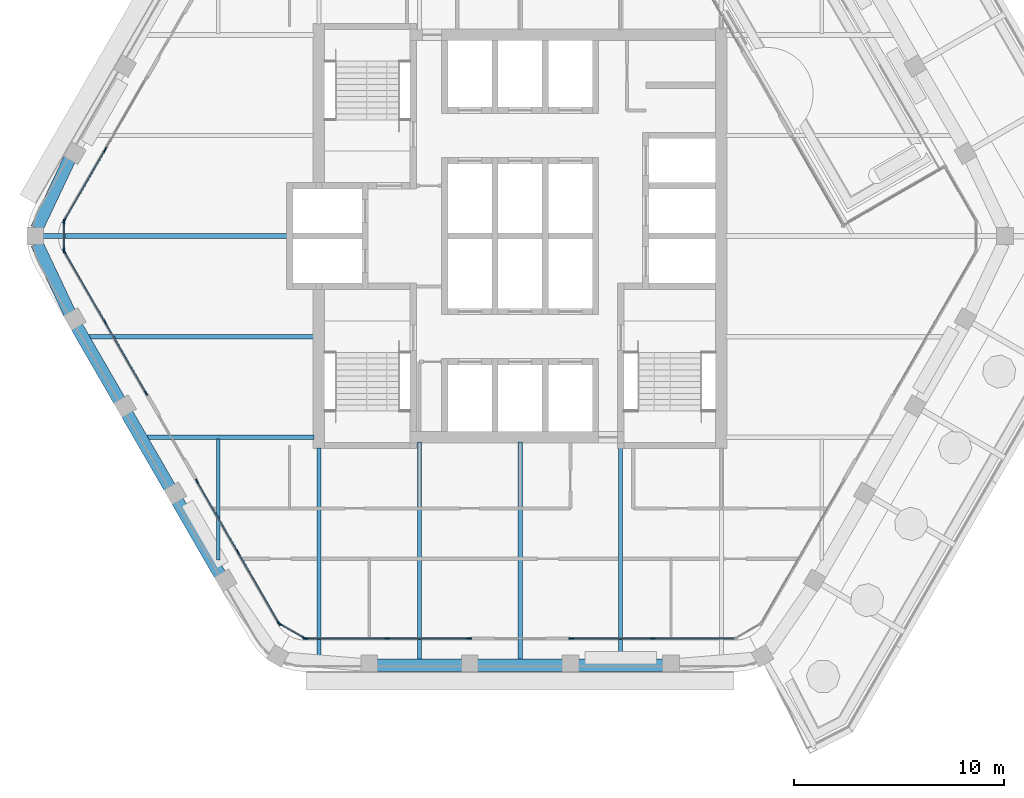
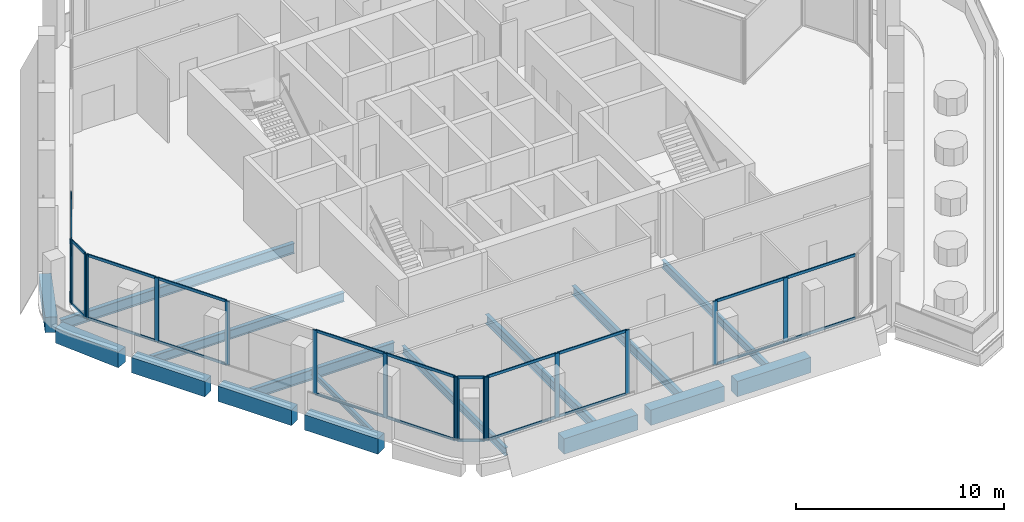
# One storey, part 2 of 17: 39 members, 16 beams, 7 elements without a shape of their own.
"""IFC4 building model written with IfcOpenShell, lengths in metres."""

from ifc_helpers import new_model, si_unit, direction, frame, origin, origin_2d, place, context, subcontext, project, spatial, rectangle, i_section, extrude, material, material_profile, profile_set, type_object, element, aggregate, save


model = new_model("IFC4")

# Units and contexts
model_context = context("Model", 3, precision=1e-05, world=origin(), true_north=direction((0.0, 1.0)))
body_context = subcontext(model_context, "Body", "Model", "MODEL_VIEW")
ifc_project = project(units=[si_unit("LENGTHUNIT", "METRE"), si_unit("AREAUNIT", "SQUARE_METRE"), si_unit("VOLUMEUNIT", "CUBIC_METRE"), si_unit("PLANEANGLEUNIT", "RADIAN"), si_unit("MASSUNIT", "GRAM", prefix="KILO")], contexts=[model_context])

# Site, building, storey
site_placement = place(None, origin())
site = spatial("IfcSite", under=ifc_project, at=site_placement, CompositionType="ELEMENT")
building_placement = place(site_placement, origin())
building = spatial("IfcBuilding", under=site, at=building_placement, Name="Kolab Exchange Tower", CompositionType="ELEMENT")
storey_placement = place(building_placement, frame((0.0, 0.0, 285.199951171875)))
storey = spatial("IfcBuildingStorey", under=building, at=storey_placement, Name="L64", CompositionType="ELEMENT", Elevation=285.199951171875)

# Beams
ifc_material_1 = material(Name="Steel S355", Category="steel")
ifc_material_profile_1 = material_profile(ifc_material_1, i_section(OverallWidth=0.1650390625, OverallDepth=0.31005859375, WebThickness=0.005859375, FlangeThickness=0.009765625, at=origin_2d()), Name="W310X39")
ifc_profile_set_1 = profile_set([ifc_material_profile_1], Name="Steel S355")
beam_type_1 = type_object("IfcBeamType", Name="FLOOR BEAM W310X39", PredefinedType="BEAM", material=ifc_profile_set_1)
beam_1_placement = place(storey_placement, frame((-14.39990234375, -15.4677734375, -0.304931640625), z_axis=(0.0, 1.0, 0.0), x_axis=(-1.0, 0.0, 0.0)))
element("IfcBeam", 1, at=beam_1_placement, inside=storey, type_object=beam_type_1, Name="beam/L64/fr/003", PredefinedType="BEAM", context=body_context, shape_type="SweptSolid", body=[
    extrude(i_section(OverallWidth=0.1650390625, OverallDepth=0.31005859375, WebThickness=0.005859375, FlangeThickness=0.009765625, at=origin_2d()), origin(), (0.0, 0.0, 1.0), 5.793701171875),
])
ifc_material_profile_2 = material_profile(ifc_material_1, i_section(OverallWidth=0.18994140625, OverallDepth=0.45703125, WebThickness=0.009033203125, FlangeThickness=0.014404296875, at=origin_2d()), Name="W460X74")
ifc_profile_set_2 = profile_set([ifc_material_profile_2], Name="Steel S355")
beam_type_2 = type_object("IfcBeamType", Name="FLOOR BEAM W460X74", PredefinedType="BEAM", material=ifc_profile_set_2)
beam_2_placement = place(storey_placement, frame((-9.60009765625, -20.027099609375, -0.37841796875), z_axis=(0.0, 1.0, 0.0), x_axis=(-1.0, 0.0, 0.0)))
element("IfcBeam", 2, at=beam_2_placement, inside=storey, type_object=beam_type_2, Name="beam/L64/fr/005", PredefinedType="BEAM", context=body_context, shape_type="SweptSolid", body=[
    extrude(i_section(OverallWidth=0.18994140625, OverallDepth=0.45703125, WebThickness=0.009033203125, FlangeThickness=0.014404296875, at=origin_2d()), origin(), (0.0, 0.0, 1.0), 9.9169921875),
])
beam_3_placement = place(storey_placement, frame((4.800048828125, -20.224609375, -0.37841796875), z_axis=(0.0, 1.0, 0.0), x_axis=(-1.0, 0.0, 0.0)))
element("IfcBeam", 3, at=beam_3_placement, inside=storey, type_object=beam_type_2, Name="beam/L64/fr/011", PredefinedType="BEAM", context=body_context, shape_type="SweptSolid", body=[
    extrude(i_section(OverallWidth=0.18994140625, OverallDepth=0.45703125, WebThickness=0.009033203125, FlangeThickness=0.014404296875, at=origin_2d()), origin(), (0.0, 0.0, 1.0), 10.114501953125),
])
ifc_material_profile_3 = material_profile(ifc_material_1, i_section(OverallWidth=0.208984375, OverallDepth=0.532958984375, WebThickness=0.01025390625, FlangeThickness=0.015625, at=origin_2d()), Name="W530X92")
ifc_profile_set_3 = profile_set([ifc_material_profile_3], Name="Steel S355")
beam_type_3 = type_object("IfcBeamType", Name="FLOOR BEAM W530X92", PredefinedType="BEAM", material=ifc_profile_set_3)
beam_4_placement = place(storey_placement, frame((-20.575927734375, -4.800048828125, -0.41650390625), z_axis=(1.0, 0.0, 0.0), x_axis=(0.0, 1.0, 0.0)))
element("IfcBeam", 4, at=beam_4_placement, inside=storey, type_object=beam_type_3, Name="beam/L64/fr/001", PredefinedType="BEAM", context=body_context, shape_type="SweptSolid", body=[
    extrude(i_section(OverallWidth=0.208984375, OverallDepth=0.532958984375, WebThickness=0.01025390625, FlangeThickness=0.015625, at=origin_2d()), origin(), (0.0, 0.0, 1.0), 10.740966796875),
])
for number, where, z_axis, x_axis, name in (
    (5, (-4.800048828125, -20.224609375, -0.41650390625), (0.0, 1.0, 0.0), (-1.0, 0.0, 0.0), "beam/L64/fr/007"),
    (6, (0.0, -20.224609375, -0.41650390625), (0.0, 1.0, 0.0), (-1.0, 0.0, 0.0), "beam/L64/fr/009"),
):
    element("IfcBeam", number, at=place(storey_placement, frame(where, z_axis=z_axis, x_axis=x_axis)), inside=storey, type_object=beam_type_3, Name=name, PredefinedType="BEAM", context=body_context, shape_type="SweptSolid", body=[
        extrude(i_section(OverallWidth=0.208984375, OverallDepth=0.532958984375, WebThickness=0.01025390625, FlangeThickness=0.015625, at=origin_2d()), origin(), (0.0, 0.0, 1.0), 10.3896484375),
    ])
ifc_material_profile_4 = material_profile(ifc_material_1, i_section(OverallWidth=0.22802734375, OverallDepth=0.60791015625, WebThickness=0.01123046875, FlangeThickness=0.017333984375, at=origin_2d()), Name="W610X113")
ifc_profile_set_4 = profile_set([ifc_material_profile_4], Name="Steel S355")
beam_type_4 = type_object("IfcBeamType", Name="FLOOR BEAM W610X113", PredefinedType="BEAM", material=ifc_profile_set_4)
beam_5_placement = place(storey_placement, frame((-22.77587890625, 0.0, -0.453857421875), z_axis=(1.0, 0.0, 0.0), x_axis=(0.0, 1.0, 0.0)))
element("IfcBeam", 7, at=beam_5_placement, inside=storey, type_object=beam_type_4, Name="beam/L64/fr/000", PredefinedType="BEAM", context=body_context, shape_type="SweptSolid", body=[
    extrude(i_section(OverallWidth=0.22802734375, OverallDepth=0.60791015625, WebThickness=0.01123046875, FlangeThickness=0.017333984375, at=origin_2d()), origin(), (0.0, 0.0, 1.0), 12.94091796875),
])
ifc_material_profile_5 = material_profile(ifc_material_1, i_section(OverallWidth=0.22802734375, OverallDepth=0.60791015625, WebThickness=0.01123046875, FlangeThickness=0.017333984375, at=origin_2d()), Name="W610X113")
ifc_profile_set_5 = profile_set([ifc_material_profile_5], Name="Steel S355")
beam_type_5 = type_object("IfcBeamType", Name="FLOOR GIRDER W610X113", PredefinedType="BEAM", material=ifc_profile_set_5)
beam_6_placement = place(storey_placement, frame((-17.8046875, -9.60009765625, -0.453857421875), z_axis=(1.0, 0.0, 0.0), x_axis=(0.0, 1.0, 0.0)))
element("IfcBeam", 8, at=beam_6_placement, inside=storey, type_object=beam_type_5, Name="beam/L64/gd/000", PredefinedType="BEAM", context=body_context, shape_type="SweptSolid", body=[
    extrude(i_section(OverallWidth=0.22802734375, OverallDepth=0.60791015625, WebThickness=0.01123046875, FlangeThickness=0.017333984375, at=origin_2d()), origin(), (0.0, 0.0, 1.0), 7.9697265625),
])
ifc_material_2 = material(Name="Concrete C50/60", Category="concrete")
ifc_material_profile_6 = material_profile(ifc_material_2, rectangle(XDim=0.60009765625, YDim=0.89990234375, at=origin_2d()), Name="RC600X900")
ifc_profile_set_6 = profile_set([ifc_material_profile_6], Name="Concrete C50/60")
beam_type_6 = type_object("IfcBeamType", Name="SPANDREL BEAM 600X900 C50/60", PredefinedType="BEAM", material=ifc_profile_set_6)
for number, where, z_axis, x_axis, name in (
    (9, (6.840087890625, -20.484619140625, -0.599853515625), (-1.0, 0.0, 0.0), (0.0, -1.0, 0.0), "beam/L64/sp/F4-02"),
    (10, (2.0400390625, -20.484619140625, -0.599853515625), (-1.0, 0.0, 0.0), (0.0, -1.0, 0.0), "beam/L64/sp/F4-03"),
    (11, (-2.760009765625, -20.484619140625, -0.599853515625), (-1.0, 0.0, 0.0), (0.0, -1.0, 0.0), "beam/L64/sp/F4-04"),
):
    element("IfcBeam", number, at=place(storey_placement, frame(where, z_axis=z_axis, x_axis=x_axis)), inside=storey, type_object=beam_type_6, Name=name, PredefinedType="BEAM", context=body_context, shape_type="SweptSolid", body=[
        extrude(rectangle(XDim=0.60009765625, YDim=0.89990234375, at=origin_2d()), origin(), (0.0, 0.0, 1.0), 4.080078125),
    ])
beam_7_placement = place(storey_placement, frame((-14.3203125, -16.166015625, -0.599853515625), z_axis=(-0.499955548806, 0.866051066172, 0.0), x_axis=(-0.866051066172, -0.499955548806, 0.0)))
element("IfcBeam", 12, at=beam_7_placement, inside=storey, type_object=beam_type_6, Name="beam/L64/sp/F5-02", PredefinedType="BEAM", context=body_context, shape_type="SweptSolid", body=[
    extrude(rectangle(XDim=0.60009765625, YDim=0.89990234375, at=origin_2d()), origin(), (0.0, 0.0, 1.0), 4.079833984375),
])
for number, where, z_axis, x_axis, name in (
    (13, (-16.72021484375, -12.009033203125, -0.599853515625), (-0.500000428765, 0.866025156237, 0.0), (-0.866025156237, -0.500000428765, 0.0), "beam/L64/sp/F5-03"),
    (14, (-19.1201171875, -7.85205078125, -0.599853515625), (-0.500000428765, 0.866025156237, 0.0), (-0.866025156237, -0.500000428765, 0.0), "beam/L64/sp/F5-04"),
):
    element("IfcBeam", number, at=place(storey_placement, frame(where, z_axis=z_axis, x_axis=x_axis)), inside=storey, type_object=beam_type_6, Name=name, PredefinedType="BEAM", context=body_context, shape_type="SweptSolid", body=[
        extrude(rectangle(XDim=0.60009765625, YDim=0.89990234375, at=origin_2d()), origin(), (0.0, 0.0, 1.0), 4.080078125),
    ])
for number, where, z_axis, x_axis, name in (
    (15, (-21.49462890625, -3.68017578125, -0.599853515625), (-0.427677251998, 0.903931506323, 0.0), (-0.903931506323, -0.427677251998, 0.0), "beam/L64/sp/F5-05"),
    (16, (-23.063720703125, 0.36376953125, -0.599853515625), (0.427677251998, 0.903931506323, 0.0), (-0.903931506323, 0.427677251998, 0.0), "beam/L64/sp/F6-01"),
):
    element("IfcBeam", number, at=place(storey_placement, frame(where, z_axis=z_axis, x_axis=x_axis)), inside=storey, type_object=beam_type_6, Name=name, PredefinedType="BEAM", context=body_context, shape_type="SweptSolid", body=[
        extrude(rectangle(XDim=0.60009765625, YDim=0.89990234375, at=origin_2d()), origin(), (0.0, 0.0, 1.0), 3.6689453125),
    ])

# Curtain wall, members
ifc_material_3 = material(Name="Aluminium EN AW-6063 T6", Category="aluminium")
curtain_wall_type = type_object("IfcCurtainWallType", Name="UNITISED HIGH ZONE CURTAIN WALL", PredefinedType="NOTDEFINED", material=ifc_material_3)
curtain_wall_1_placement = place(storey_placement, origin())
curtain_wall_1 = element("IfcCurtainWall", 17, at=curtain_wall_1_placement, inside=storey, type_object=curtain_wall_type, Name="cw/L64/F4-1", PredefinedType="NOTDEFINED")
ifc_material_profile_7 = material_profile(ifc_material_3, rectangle(XDim=0.06005859375, YDim=0.239990234375, at=origin_2d()), Name="RECT 60X240")
ifc_profile_set_7 = profile_set([ifc_material_profile_7], Name="Aluminium EN AW-6063 T6")
member_type_1 = type_object("IfcMemberType", Name="UNITISED HIGH ZONE MULLION 60 X 240", PredefinedType="MULLION", material=ifc_profile_set_7)
member_1_placement = place(storey_placement, frame((6.333984375, -19.20458984375, 0.0), z_axis=(0.0, 0.0, 1.0), x_axis=(0.0, -1.0, 0.0)))
member_1 = element("IfcMember", 18, at=member_1_placement, type_object=member_type_1, Name="CW4 mullion 2", PredefinedType="MULLION", context=body_context, shape_type="SweptSolid", body=[
    extrude(rectangle(XDim=0.06005859375, YDim=0.239990234375, at=origin_2d()), origin(), (0.0, 0.0, 1.0), 3.75),
])
member_2_placement = place(storey_placement, frame((2.429931640625, -19.20458984375, 0.0), z_axis=(0.0, 0.0, 1.0), x_axis=(0.0, -1.0, 0.0)))
member_2 = element("IfcMember", 19, at=member_2_placement, type_object=member_type_1, Name="CW4 mullion 3", PredefinedType="MULLION", context=body_context, shape_type="SweptSolid", body=[
    extrude(rectangle(XDim=0.06005859375, YDim=0.239990234375, at=origin_2d()), origin(), (0.0, 0.0, 1.0), 3.75),
])

curtain_wall_2_placement = place(storey_placement, origin())
curtain_wall_2 = element("IfcCurtainWall", 20, at=curtain_wall_2_placement, inside=storey, type_object=curtain_wall_type, Name="cw/L64/F4-2", PredefinedType="NOTDEFINED")
member_3_placement = place(storey_placement, frame((-2.429931640625, -19.20458984375, 0.0), z_axis=(0.0, 0.0, 1.0), x_axis=(0.0, -1.0, 0.0)))
member_3 = element("IfcMember", 21, at=member_3_placement, type_object=member_type_1, Name="CW4 mullion 1", PredefinedType="MULLION", context=body_context, shape_type="SweptSolid", body=[
    extrude(rectangle(XDim=0.06005859375, YDim=0.239990234375, at=origin_2d()), origin(), (0.0, 0.0, 1.0), 3.75),
])
member_4_placement = place(storey_placement, frame((-6.333984375, -19.20458984375, 0.0), z_axis=(0.0, 0.0, 1.0), x_axis=(0.0, -1.0, 0.0)))
member_4 = element("IfcMember", 22, at=member_4_placement, type_object=member_type_1, Name="CW4 mullion 2", PredefinedType="MULLION", context=body_context, shape_type="SweptSolid", body=[
    extrude(rectangle(XDim=0.06005859375, YDim=0.239990234375, at=origin_2d()), origin(), (0.0, 0.0, 1.0), 3.75),
])
member_5_placement = place(storey_placement, frame((-10.238037109375, -19.20458984375, 0.0), z_axis=(0.0, 0.0, 1.0), x_axis=(0.0, -1.0, 0.0)))
member_5 = element("IfcMember", 23, at=member_5_placement, type_object=member_type_1, Name="CW4 mullion 3", PredefinedType="MULLION", context=body_context, shape_type="SweptSolid", body=[
    extrude(rectangle(XDim=0.06005859375, YDim=0.239990234375, at=origin_2d()), origin(), (0.0, 0.0, 1.0), 3.75),
])

curtain_wall_3_placement = place(storey_placement, origin())
curtain_wall_3 = element("IfcCurtainWall", 24, at=curtain_wall_3_placement, inside=storey, type_object=curtain_wall_type, Name="cw/L64/F5-1", PredefinedType="NOTDEFINED")
member_6_placement = place(storey_placement, frame((-11.5126953125, -18.46875, 0.0), z_axis=(0.0, 0.0, 1.0), x_axis=(-0.866025385493, -0.500000031681, 0.0)))
member_6 = element("IfcMember", 25, at=member_6_placement, type_object=member_type_1, Name="CW4 mullion 1", PredefinedType="MULLION", context=body_context, shape_type="SweptSolid", body=[
    extrude(rectangle(XDim=0.06005859375, YDim=0.239990234375, at=origin_2d()), origin(), (0.0, 0.0, 1.0), 3.75),
])
member_7_placement = place(storey_placement, frame((-13.464599609375, -15.087646484375, 0.0), z_axis=(0.0, 0.0, 1.0), x_axis=(-0.866025385493, -0.500000031681, 0.0)))
member_7 = element("IfcMember", 26, at=member_7_placement, type_object=member_type_1, Name="CW4 mullion 2", PredefinedType="MULLION", context=body_context, shape_type="SweptSolid", body=[
    extrude(rectangle(XDim=0.06005859375, YDim=0.239990234375, at=origin_2d()), origin(), (0.0, 0.0, 1.0), 3.75),
])
member_8_placement = place(storey_placement, frame((-15.416748046875, -11.706787109375, 0.0), z_axis=(0.0, 0.0, 1.0), x_axis=(-0.866025385493, -0.500000031681, 0.0)))
member_8 = element("IfcMember", 27, at=member_8_placement, type_object=member_type_1, Name="CW4 mullion 3", PredefinedType="MULLION", context=body_context, shape_type="SweptSolid", body=[
    extrude(rectangle(XDim=0.06005859375, YDim=0.239990234375, at=origin_2d()), origin(), (0.0, 0.0, 1.0), 3.75),
])

curtain_wall_4_placement = place(storey_placement, origin())
curtain_wall_4 = element("IfcCurtainWall", 28, at=curtain_wall_4_placement, inside=storey, type_object=curtain_wall_type, Name="cw/L64/F5-2", PredefinedType="NOTDEFINED")
member_9_placement = place(storey_placement, frame((-17.8466796875, -7.497802734375, 0.0), z_axis=(0.0, 0.0, 1.0), x_axis=(-0.866025440524, -0.499999936366, 0.0)))
member_9 = element("IfcMember", 29, at=member_9_placement, type_object=member_type_1, Name="CW4 mullion 1", PredefinedType="MULLION", context=body_context, shape_type="SweptSolid", body=[
    extrude(rectangle(XDim=0.06005859375, YDim=0.239990234375, at=origin_2d()), origin(), (0.0, 0.0, 1.0), 3.75),
])
member_10_placement = place(storey_placement, frame((-19.798583984375, -4.116943359375, 0.0), z_axis=(0.0, 0.0, 1.0), x_axis=(-0.866025440524, -0.499999936366, 0.0)))
member_10 = element("IfcMember", 30, at=member_10_placement, type_object=member_type_1, Name="CW4 mullion 2", PredefinedType="MULLION", context=body_context, shape_type="SweptSolid", body=[
    extrude(rectangle(XDim=0.06005859375, YDim=0.239990234375, at=origin_2d()), origin(), (0.0, 0.0, 1.0), 3.75),
])
member_11_placement = place(storey_placement, frame((-21.750732421875, -0.736083984375, 0.0), z_axis=(0.0, 0.0, 1.0), x_axis=(-0.866025440524, -0.499999936366, 0.0)))
member_11 = element("IfcMember", 31, at=member_11_placement, type_object=member_type_1, Name="CW4 mullion 3", PredefinedType="MULLION", context=body_context, shape_type="SweptSolid", body=[
    extrude(rectangle(XDim=0.06005859375, YDim=0.239990234375, at=origin_2d()), origin(), (0.0, 0.0, 1.0), 3.75),
])

curtain_wall_5_placement = place(storey_placement, origin())
curtain_wall_5 = element("IfcCurtainWall", 32, at=curtain_wall_5_placement, inside=storey, type_object=curtain_wall_type, Name="cw/L64/F6-1", PredefinedType="NOTDEFINED")
member_12_placement = place(storey_placement, frame((-21.750732421875, 0.736083984375, 0.0), z_axis=(0.0, 0.0, 1.0), x_axis=(-0.866025440524, 0.499999936366, 0.0)))
member_12 = element("IfcMember", 33, at=member_12_placement, type_object=member_type_1, Name="CW4 mullion 1", PredefinedType="MULLION", context=body_context, shape_type="SweptSolid", body=[
    extrude(rectangle(XDim=0.06005859375, YDim=0.239990234375, at=origin_2d()), origin(), (0.0, 0.0, 1.0), 3.75),
])
member_13_placement = place(storey_placement, frame((-19.798583984375, 4.116943359375, 0.0), z_axis=(0.0, 0.0, 1.0), x_axis=(-0.866025440524, 0.499999936366, 0.0)))
member_13 = element("IfcMember", 34, at=member_13_placement, type_object=member_type_1, Name="CW4 mullion 2", PredefinedType="MULLION", context=body_context, shape_type="SweptSolid", body=[
    extrude(rectangle(XDim=0.06005859375, YDim=0.239990234375, at=origin_2d()), origin(), (0.0, 0.0, 1.0), 3.75),
])

curtain_wall_6_placement = place(storey_placement, origin())
curtain_wall_6 = element("IfcCurtainWall", 35, at=curtain_wall_6_placement, inside=storey, type_object=curtain_wall_type, Name="cw/L64/F4F5-corner", PredefinedType="NOTDEFINED")
member_14_placement = place(storey_placement, frame((-10.2939453125, -19.189697265625, 0.0), z_axis=(0.0, 0.0, 1.0), x_axis=(-0.50000002237, -0.866025390869, 0.0)))
member_14 = element("IfcMember", 36, at=member_14_placement, type_object=member_type_1, Name="CW4 mullion 1", PredefinedType="MULLION", context=body_context, shape_type="SweptSolid", body=[
    extrude(rectangle(XDim=0.06005859375, YDim=0.239990234375, at=origin_2d()), origin(), (0.0, 0.0, 1.0), 3.75),
])
member_15_placement = place(storey_placement, frame((-11.4716796875, -18.509521484375, 0.0), z_axis=(0.0, 0.0, 1.0), x_axis=(-0.50000002237, -0.866025390869, 0.0)))
member_15 = element("IfcMember", 37, at=member_15_placement, type_object=member_type_1, Name="CW4 mullion 2", PredefinedType="MULLION", context=body_context, shape_type="SweptSolid", body=[
    extrude(rectangle(XDim=0.06005859375, YDim=0.239990234375, at=origin_2d()), origin(), (0.0, 0.0, 1.0), 3.75),
])

curtain_wall_7_placement = place(storey_placement, origin())
curtain_wall_7 = element("IfcCurtainWall", 38, at=curtain_wall_7_placement, inside=storey, type_object=curtain_wall_type, Name="cw/L64/F5F6-corner", PredefinedType="NOTDEFINED")
member_16_placement = place(storey_placement, frame((-21.765625, -0.679931640625, 0.0), z_axis=(0.0, 0.0, 1.0), x_axis=(-1.0, 0.0, 0.0)))
member_16 = element("IfcMember", 39, at=member_16_placement, type_object=member_type_1, Name="CW4 mullion 1", PredefinedType="MULLION", context=body_context, shape_type="SweptSolid", body=[
    extrude(rectangle(XDim=0.06005859375, YDim=0.239990234375, at=origin_2d()), origin(), (0.0, 0.0, 1.0), 3.75),
])
member_17_placement = place(storey_placement, frame((-21.765625, 0.679931640625, 0.0), z_axis=(0.0, 0.0, 1.0), x_axis=(-1.0, 0.0, 0.0)))
member_17 = element("IfcMember", 40, at=member_17_placement, type_object=member_type_1, Name="CW4 mullion 2", PredefinedType="MULLION", context=body_context, shape_type="SweptSolid", body=[
    extrude(rectangle(XDim=0.06005859375, YDim=0.239990234375, at=origin_2d()), origin(), (0.0, 0.0, 1.0), 3.75),
])

# Member
ifc_material_profile_8 = material_profile(ifc_material_3, rectangle(XDim=0.06005859375, YDim=0.159912109375, at=origin_2d()), Name="RECT 60X160")
ifc_profile_set_8 = profile_set([ifc_material_profile_8], Name="Aluminium EN AW-6063 T6")
member_type_2 = type_object("IfcMemberType", Name="UNITISED HIGH ZONE TRANSOM 60 X 160", PredefinedType="USERDEFINED", material=ifc_profile_set_8)
member_18_placement = place(storey_placement, frame((10.2080078125, -19.20458984375, 0.030029296875), z_axis=(-1.0, 0.0, 0.0), x_axis=(0.0, -1.0, 0.0)))
member_18 = element("IfcMember", 41, at=member_18_placement, type_object=member_type_2, Name="CW4 transom 1.1", ObjectType="TRANSOM", PredefinedType="USERDEFINED", context=body_context, shape_type="SweptSolid", body=[
    extrude(rectangle(XDim=0.06005859375, YDim=0.159912109375, at=origin_2d()), origin(), (0.0, 0.0, 1.0), 3.843994140625),
])

member_19_placement = place(storey_placement, frame((10.2080078125, -19.20458984375, 3.719970703125), z_axis=(-1.0, 0.0, 0.0), x_axis=(0.0, -1.0, 0.0)))
member_19 = element("IfcMember", 42, at=member_19_placement, type_object=member_type_2, Name="CW4 transom 1.2", ObjectType="TRANSOM", PredefinedType="USERDEFINED", context=body_context, shape_type="SweptSolid", body=[
    extrude(rectangle(XDim=0.06005859375, YDim=0.159912109375, at=origin_2d()), origin(), (0.0, 0.0, 1.0), 3.843994140625),
])

member_20_placement = place(storey_placement, frame((6.303955078125, -19.20458984375, 0.030029296875), z_axis=(-1.0, 0.0, 0.0), x_axis=(0.0, -1.0, 0.0)))
member_20 = element("IfcMember", 43, at=member_20_placement, type_object=member_type_2, Name="CW4 transom 2.1", ObjectType="TRANSOM", PredefinedType="USERDEFINED", context=body_context, shape_type="SweptSolid", body=[
    extrude(rectangle(XDim=0.06005859375, YDim=0.159912109375, at=origin_2d()), origin(), (0.0, 0.0, 1.0), 3.843994140625),
])

member_21_placement = place(storey_placement, frame((6.303955078125, -19.20458984375, 3.719970703125), z_axis=(-1.0, 0.0, 0.0), x_axis=(0.0, -1.0, 0.0)))
member_21 = element("IfcMember", 44, at=member_21_placement, type_object=member_type_2, Name="CW4 transom 2.2", ObjectType="TRANSOM", PredefinedType="USERDEFINED", context=body_context, shape_type="SweptSolid", body=[
    extrude(rectangle(XDim=0.06005859375, YDim=0.159912109375, at=origin_2d()), origin(), (0.0, 0.0, 1.0), 3.843994140625),
])

aggregate(curtain_wall_1, [member_1, member_2, member_18, member_19, member_20, member_21])

member_22_placement = place(storey_placement, frame((-2.4599609375, -19.20458984375, 0.030029296875), z_axis=(-1.0, 0.0, 0.0), x_axis=(0.0, -1.0, 0.0)))
member_22 = element("IfcMember", 45, at=member_22_placement, type_object=member_type_2, Name="CW4 transom 1.1", ObjectType="TRANSOM", PredefinedType="USERDEFINED", context=body_context, shape_type="SweptSolid", body=[
    extrude(rectangle(XDim=0.06005859375, YDim=0.159912109375, at=origin_2d()), origin(), (0.0, 0.0, 1.0), 3.843994140625),
])

member_23_placement = place(storey_placement, frame((-2.4599609375, -19.20458984375, 3.719970703125), z_axis=(-1.0, 0.0, 0.0), x_axis=(0.0, -1.0, 0.0)))
member_23 = element("IfcMember", 46, at=member_23_placement, type_object=member_type_2, Name="CW4 transom 1.2", ObjectType="TRANSOM", PredefinedType="USERDEFINED", context=body_context, shape_type="SweptSolid", body=[
    extrude(rectangle(XDim=0.06005859375, YDim=0.159912109375, at=origin_2d()), origin(), (0.0, 0.0, 1.0), 3.843994140625),
])

member_24_placement = place(storey_placement, frame((-6.364013671875, -19.20458984375, 0.030029296875), z_axis=(-1.0, 0.0, 0.0), x_axis=(0.0, -1.0, 0.0)))
member_24 = element("IfcMember", 47, at=member_24_placement, type_object=member_type_2, Name="CW4 transom 2.1", ObjectType="TRANSOM", PredefinedType="USERDEFINED", context=body_context, shape_type="SweptSolid", body=[
    extrude(rectangle(XDim=0.06005859375, YDim=0.159912109375, at=origin_2d()), origin(), (0.0, 0.0, 1.0), 3.843994140625),
])

member_25_placement = place(storey_placement, frame((-6.364013671875, -19.20458984375, 3.719970703125), z_axis=(-1.0, 0.0, 0.0), x_axis=(0.0, -1.0, 0.0)))
member_25 = element("IfcMember", 48, at=member_25_placement, type_object=member_type_2, Name="CW4 transom 2.2", ObjectType="TRANSOM", PredefinedType="USERDEFINED", context=body_context, shape_type="SweptSolid", body=[
    extrude(rectangle(XDim=0.06005859375, YDim=0.159912109375, at=origin_2d()), origin(), (0.0, 0.0, 1.0), 3.843994140625),
])

aggregate(curtain_wall_2, [member_3, member_4, member_5, member_22, member_23, member_24, member_25])

member_26_placement = place(storey_placement, frame((-11.527587890625, -18.442626953125, 0.030029296875), z_axis=(-0.500039492609, 0.866002601515, 0.0), x_axis=(-0.866002601515, -0.500039492609, 0.0)))
member_26 = element("IfcMember", 49, at=member_26_placement, type_object=member_type_2, Name="CW4 transom 1.1", ObjectType="TRANSOM", PredefinedType="USERDEFINED", context=body_context, shape_type="SweptSolid", body=[
    extrude(rectangle(XDim=0.06005859375, YDim=0.159912109375, at=origin_2d()), origin(), (0.0, 0.0, 1.0), 3.843994140625),
])

member_27_placement = place(storey_placement, frame((-11.527587890625, -18.442626953125, 3.719970703125), z_axis=(-0.500039492609, 0.866002601515, 0.0), x_axis=(-0.866002601515, -0.500039492609, 0.0)))
member_27 = element("IfcMember", 50, at=member_27_placement, type_object=member_type_2, Name="CW4 transom 1.2", ObjectType="TRANSOM", PredefinedType="USERDEFINED", context=body_context, shape_type="SweptSolid", body=[
    extrude(rectangle(XDim=0.06005859375, YDim=0.159912109375, at=origin_2d()), origin(), (0.0, 0.0, 1.0), 3.843994140625),
])

member_28_placement = place(storey_placement, frame((-13.479736328125, -15.061767578125, 0.030029296875), z_axis=(-0.499964356602, 0.866045981532, 0.0), x_axis=(-0.866045981532, -0.499964356602, 0.0)))
member_28 = element("IfcMember", 51, at=member_28_placement, type_object=member_type_2, Name="CW4 transom 2.1", ObjectType="TRANSOM", PredefinedType="USERDEFINED", context=body_context, shape_type="SweptSolid", body=[
    extrude(rectangle(XDim=0.06005859375, YDim=0.159912109375, at=origin_2d()), origin(), (0.0, 0.0, 1.0), 3.843994140625),
])

member_29_placement = place(storey_placement, frame((-13.479736328125, -15.061767578125, 3.719970703125), z_axis=(-0.499964356602, 0.866045981532, 0.0), x_axis=(-0.866045981532, -0.499964356602, 0.0)))
member_29 = element("IfcMember", 52, at=member_29_placement, type_object=member_type_2, Name="CW4 transom 2.2", ObjectType="TRANSOM", PredefinedType="USERDEFINED", context=body_context, shape_type="SweptSolid", body=[
    extrude(rectangle(XDim=0.06005859375, YDim=0.159912109375, at=origin_2d()), origin(), (0.0, 0.0, 1.0), 3.843994140625),
])

aggregate(curtain_wall_3, [member_6, member_7, member_8, member_26, member_27, member_28, member_29])

member_30_placement = place(storey_placement, frame((-17.861572265625, -7.471923828125, 0.030029296875), z_axis=(-0.500011990396, 0.866018481016, 0.0), x_axis=(-0.866018481016, -0.500011990396, 0.0)))
member_30 = element("IfcMember", 53, at=member_30_placement, type_object=member_type_2, Name="CW4 transom 1.1", ObjectType="TRANSOM", PredefinedType="USERDEFINED", context=body_context, shape_type="SweptSolid", body=[
    extrude(rectangle(XDim=0.06005859375, YDim=0.159912109375, at=origin_2d()), origin(), (0.0, 0.0, 1.0), 3.84423828125),
])

member_31_placement = place(storey_placement, frame((-17.861572265625, -7.471923828125, 3.719970703125), z_axis=(-0.500011990396, 0.866018481016, 0.0), x_axis=(-0.866018481016, -0.500011990396, 0.0)))
member_31 = element("IfcMember", 54, at=member_31_placement, type_object=member_type_2, Name="CW4 transom 1.2", ObjectType="TRANSOM", PredefinedType="USERDEFINED", context=body_context, shape_type="SweptSolid", body=[
    extrude(rectangle(XDim=0.06005859375, YDim=0.159912109375, at=origin_2d()), origin(), (0.0, 0.0, 1.0), 3.84423828125),
])

member_32_placement = place(storey_placement, frame((-19.813720703125, -4.0908203125, 0.030029296875), z_axis=(-0.499991857942, 0.866030104553, 0.0), x_axis=(-0.866030104553, -0.499991857942, 0.0)))
member_32 = element("IfcMember", 55, at=member_32_placement, type_object=member_type_2, Name="CW4 transom 2.1", ObjectType="TRANSOM", PredefinedType="USERDEFINED", context=body_context, shape_type="SweptSolid", body=[
    extrude(rectangle(XDim=0.06005859375, YDim=0.159912109375, at=origin_2d()), origin(), (0.0, 0.0, 1.0), 3.84375),
])

member_33_placement = place(storey_placement, frame((-19.813720703125, -4.0908203125, 3.719970703125), z_axis=(-0.499991857942, 0.866030104553, 0.0), x_axis=(-0.866030104553, -0.499991857942, 0.0)))
member_33 = element("IfcMember", 56, at=member_33_placement, type_object=member_type_2, Name="CW4 transom 2.2", ObjectType="TRANSOM", PredefinedType="USERDEFINED", context=body_context, shape_type="SweptSolid", body=[
    extrude(rectangle(XDim=0.06005859375, YDim=0.159912109375, at=origin_2d()), origin(), (0.0, 0.0, 1.0), 3.84375),
])

aggregate(curtain_wall_4, [member_9, member_10, member_11, member_30, member_31, member_32, member_33])

member_34_placement = place(storey_placement, frame((-21.735595703125, 0.761962890625, 0.030029296875), z_axis=(0.499991857942, 0.866030104553, 0.0), x_axis=(-0.866030104553, 0.499991857942, 0.0)))
member_34 = element("IfcMember", 57, at=member_34_placement, type_object=member_type_2, Name="CW4 transom 1.1", ObjectType="TRANSOM", PredefinedType="USERDEFINED", context=body_context, shape_type="SweptSolid", body=[
    extrude(rectangle(XDim=0.06005859375, YDim=0.159912109375, at=origin_2d()), origin(), (0.0, 0.0, 1.0), 3.84375),
])

member_35_placement = place(storey_placement, frame((-21.735595703125, 0.761962890625, 3.719970703125), z_axis=(0.499991857942, 0.866030104553, 0.0), x_axis=(-0.866030104553, 0.499991857942, 0.0)))
member_35 = element("IfcMember", 58, at=member_35_placement, type_object=member_type_2, Name="CW4 transom 1.2", ObjectType="TRANSOM", PredefinedType="USERDEFINED", context=body_context, shape_type="SweptSolid", body=[
    extrude(rectangle(XDim=0.06005859375, YDim=0.159912109375, at=origin_2d()), origin(), (0.0, 0.0, 1.0), 3.84375),
])

aggregate(curtain_wall_5, [member_12, member_13, member_34, member_35])

member_36_placement = place(storey_placement, frame((-10.31982421875, -19.174560546875, 0.030029296875), z_axis=(-0.866085525409, 0.49989585183, 0.0), x_axis=(-0.49989585183, -0.866085525409, 0.0)))
member_36 = element("IfcMember", 59, at=member_36_placement, type_object=member_type_2, Name="CW4 transom 1.1", ObjectType="TRANSOM", PredefinedType="USERDEFINED", context=body_context, shape_type="SweptSolid", body=[
    extrude(rectangle(XDim=0.06005859375, YDim=0.159912109375, at=origin_2d()), origin(), (0.0, 0.0, 1.0), 1.300048828125),
])

member_37_placement = place(storey_placement, frame((-10.31982421875, -19.174560546875, 3.719970703125), z_axis=(-0.866085525409, 0.49989585183, 0.0), x_axis=(-0.49989585183, -0.866085525409, 0.0)))
member_37 = element("IfcMember", 60, at=member_37_placement, type_object=member_type_2, Name="CW4 transom 1.2", ObjectType="TRANSOM", PredefinedType="USERDEFINED", context=body_context, shape_type="SweptSolid", body=[
    extrude(rectangle(XDim=0.06005859375, YDim=0.159912109375, at=origin_2d()), origin(), (0.0, 0.0, 1.0), 1.300048828125),
])

aggregate(curtain_wall_6, [member_14, member_15, member_36, member_37])

member_38_placement = place(storey_placement, frame((-21.765625, -0.64990234375, 0.030029296875), z_axis=(0.0, 1.0, 0.0), x_axis=(-1.0, 0.0, 0.0)))
member_38 = element("IfcMember", 61, at=member_38_placement, type_object=member_type_2, Name="CW4 transom 1.1", ObjectType="TRANSOM", PredefinedType="USERDEFINED", context=body_context, shape_type="SweptSolid", body=[
    extrude(rectangle(XDim=0.06005859375, YDim=0.159912109375, at=origin_2d()), origin(), (0.0, 0.0, 1.0), 1.2998046875),
])

member_39_placement = place(storey_placement, frame((-21.765625, -0.64990234375, 3.719970703125), z_axis=(0.0, 1.0, 0.0), x_axis=(-1.0, 0.0, 0.0)))
member_39 = element("IfcMember", 62, at=member_39_placement, type_object=member_type_2, Name="CW4 transom 1.2", ObjectType="TRANSOM", PredefinedType="USERDEFINED", context=body_context, shape_type="SweptSolid", body=[
    extrude(rectangle(XDim=0.06005859375, YDim=0.159912109375, at=origin_2d()), origin(), (0.0, 0.0, 1.0), 1.2998046875),
])

aggregate(curtain_wall_7, [member_16, member_17, member_38, member_39])

save(model, "model.ifc")
